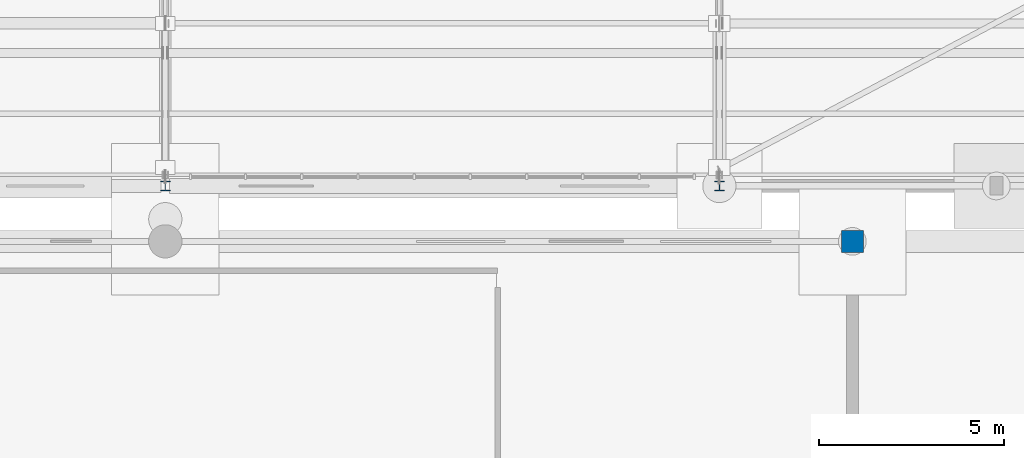
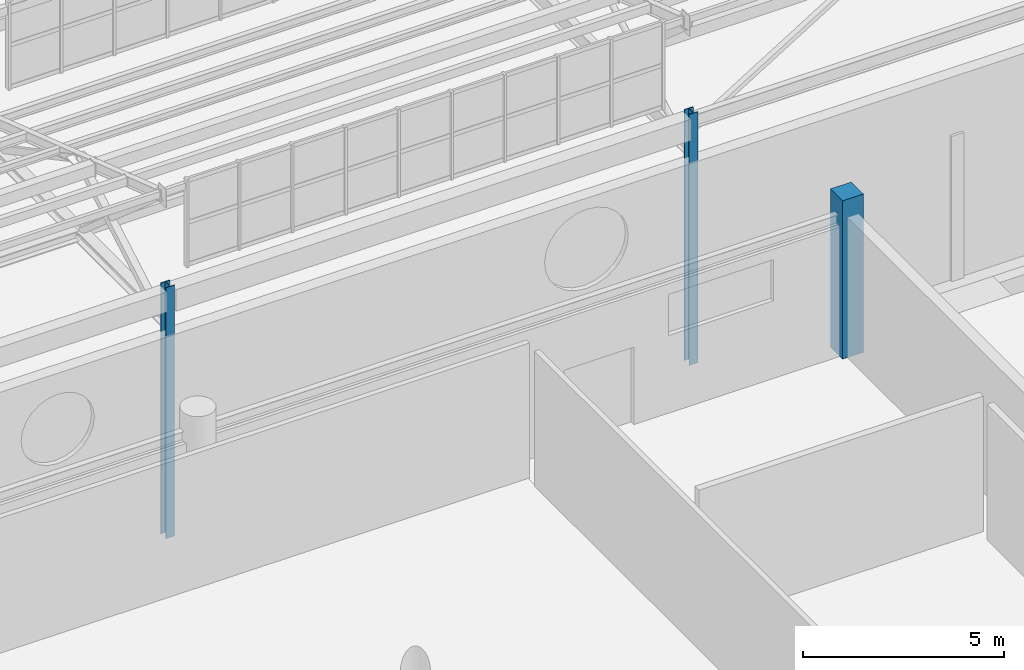
# One storey, part 16 of 285: 3 columns.
"""IFC4 building model written with IfcOpenShell, lengths in metres."""

from ifc_helpers import new_model, si_unit, direction, frame, origin, origin_2d, place, context, subcontext, project, spatial, rectangle, i_section, extrude, material, material_profile, profile_set, type_object, element, save


model = new_model("IFC4")

# Units and contexts
model_context = context("Model", 3, precision=1e-05, world=origin(), true_north=direction((0.0, 1.0)))
body_context = subcontext(model_context, "Body", "Model", "MODEL_VIEW")
ifc_project = project(units=[si_unit("LENGTHUNIT", "METRE"), si_unit("AREAUNIT", "SQUARE_METRE"), si_unit("VOLUMEUNIT", "CUBIC_METRE"), si_unit("PLANEANGLEUNIT", "RADIAN"), si_unit("MASSUNIT", "GRAM", prefix="KILO")], contexts=[model_context])

# Site, building, storey
site_placement = place(None, origin())
site = spatial("IfcSite", under=ifc_project, at=site_placement, CompositionType="ELEMENT")
building_placement = place(site_placement, origin())
building = spatial("IfcBuilding", under=site, at=building_placement, Name="Solanera Park Tramway Depot", CompositionType="ELEMENT")
storey_placement = place(building_placement, origin())
storey = spatial("IfcBuildingStorey", under=building, at=storey_placement, Name="L00", CompositionType="ELEMENT", Elevation=0.0)

# Columns
ifc_material_1 = material(Name="Concrete N40 (C40/50)", Category="concrete")
ifc_material_profile_1 = material_profile(ifc_material_1, rectangle(XDim=0.60009765625, YDim=0.60009765625, at=origin_2d()), Name="RC 600x600")
ifc_profile_set_1 = profile_set([ifc_material_profile_1], Name="Concrete N40 (C40/50)")
column_type_1 = type_object("IfcColumnType", Name="RC Column Ext RC 600x600", PredefinedType="COLUMN", material=ifc_profile_set_1)
column_placement = place(storey_placement, frame((93.60009765625, 54.0, 0.0), z_axis=(0.0, 0.0, 1.0), x_axis=(1.0, 0.0, 0.0)))
element("IfcColumn", 1, at=column_placement, inside=storey, type_object=column_type_1, Name="L00 Column V2-X936-Y540", PredefinedType="COLUMN", context=body_context, shape_type="SweptSolid", body=[
    extrude(rectangle(XDim=0.60009765625, YDim=0.60009765625, at=origin_2d()), origin(), (0.0, 0.0, 1.0), 4.800048828125),
])
ifc_material_2 = material(Name="Steel AS/NZS 3679.1 Grade 350", Category="steel")
ifc_material_profile_2 = material_profile(ifc_material_2, i_section(OverallWidth=0.255615234375, OverallDepth=0.260009765625, WebThickness=0.010498046875, FlangeThickness=0.017333984375, at=origin_2d()), Name="250UC89.5")
ifc_profile_set_2 = profile_set([ifc_material_profile_2], Name="Steel AS/NZS 3679.1 Grade 350")
column_type_2 = type_object("IfcColumnType", Name="Steel Column Ext 250UC89.5", PredefinedType="COLUMN", material=ifc_profile_set_2)
for number, where, z_axis, x_axis, name in (
    (2, (75.0, 55.5, 0.0), (0.0, 0.0, 1.0), (1.0, 0.0, 0.0), "L00 Column V1-X750-Y555"),
    (3, (90.0, 55.5, 0.0), (0.0, 0.0, 1.0), (1.0, 0.0, 0.0), "L00 Column V1-X900-Y555"),
):
    element("IfcColumn", number, at=place(storey_placement, frame(where, z_axis=z_axis, x_axis=x_axis)), inside=storey, type_object=column_type_2, Name=name, PredefinedType="COLUMN", context=body_context, shape_type="SweptSolid", body=[
        extrude(i_section(OverallWidth=0.255615234375, OverallDepth=0.260009765625, WebThickness=0.010498046875, FlangeThickness=0.017333984375, at=origin_2d()), origin(), (0.0, 0.0, 1.0), 7.60009765625),
    ])

save(model, "model.ifc")
